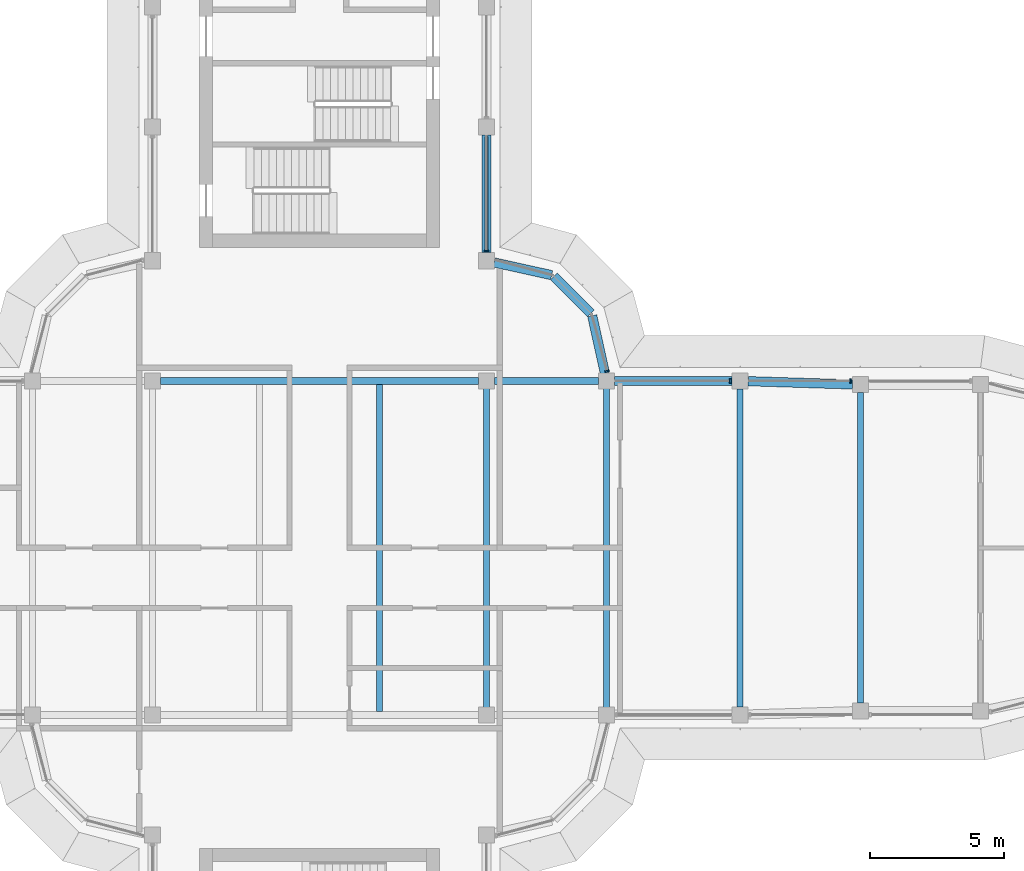
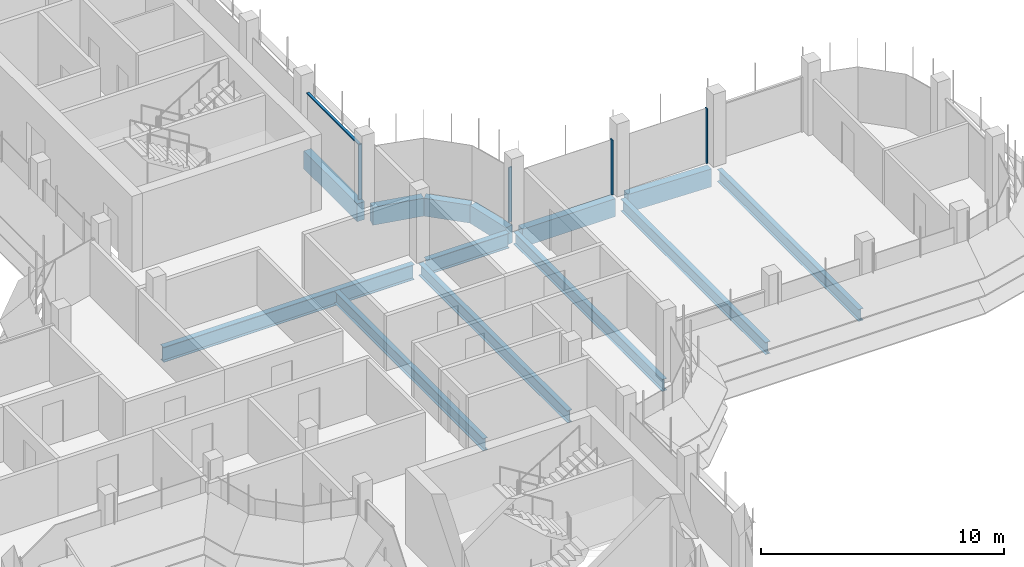
# One storey, part 8 of 19: 13 beams, 5 members, 3 elements without a shape of their own.
"""IFC4 building model written with IfcOpenShell, lengths in metres."""

from ifc_helpers import new_model, si_unit, direction, frame, origin, origin_2d, place, context, subcontext, project, spatial, polyline, rectangle, i_section, outline, extrude, source, transform, mapped, material, material_profile, profile_set, type_object, element, aggregate, save


model = new_model("IFC4")

# Units and contexts
model_context = context("Model", 3, precision=1e-05, world=origin(), true_north=direction((0.0, 1.0)))
body_context = subcontext(model_context, "Body", "Model", "MODEL_VIEW")
ifc_project = project(units=[si_unit("LENGTHUNIT", "METRE"), si_unit("AREAUNIT", "SQUARE_METRE"), si_unit("VOLUMEUNIT", "CUBIC_METRE"), si_unit("PLANEANGLEUNIT", "RADIAN"), si_unit("MASSUNIT", "GRAM", prefix="KILO")], contexts=[model_context])

# Site, building, storey
site_placement = place(None, origin())
site = spatial("IfcSite", under=ifc_project, at=site_placement, CompositionType="ELEMENT")
building_placement = place(site_placement, origin())
building = spatial("IfcBuilding", under=site, at=building_placement, Name="Zarbagh Exchange Tower", CompositionType="ELEMENT")
storey_placement = place(building_placement, frame((0.0, 0.0, 280.199951171875)))
storey = spatial("IfcBuildingStorey", under=building, at=storey_placement, Name="L69", CompositionType="ELEMENT", Elevation=280.199951171875)

# Beams
ifc_material_1 = material(Name="Steel ASTM A992 Gr 50", Category="steel")
ifc_material_profile_1 = material_profile(ifc_material_1, i_section(OverallWidth=0.228271484375, OverallDepth=0.607177734375, WebThickness=0.01123046875, FlangeThickness=0.017333984375, at=origin_2d()), Name="W24X76")
ifc_profile_set_1 = profile_set([ifc_material_profile_1], Name="Steel ASTM A992 Gr 50")
beam_type_1 = type_object("IfcBeamType", Name="Floor beam W24X76", PredefinedType="BEAM", material=ifc_profile_set_1)
for number, where, z_axis, x_axis, name in (
    (1, (2.25, -6.11669921875, -0.453369140625), (0.0, 1.0, 0.0), (-1.0, 0.0, 0.0), "Steel floor beam"),
    (2, (6.25, -6.11669921875, -0.453369140625), (0.0, 1.0, 0.0), (-1.0, 0.0, 0.0), "Steel floor beam"),
    (3, (10.75, -6.11669921875, -0.453369140625), (0.0, 1.0, 0.0), (-1.0, 0.0, 0.0), "Steel floor beam"),
):
    element("IfcBeam", number, at=place(storey_placement, frame(where, z_axis=z_axis, x_axis=x_axis)), inside=storey, type_object=beam_type_1, Name=name, PredefinedType="BEAM", context=body_context, shape_type="SweptSolid", body=[
        extrude(i_section(OverallWidth=0.228271484375, OverallDepth=0.607177734375, WebThickness=0.01123046875, FlangeThickness=0.017333984375, at=origin_2d()), origin(), (0.0, 0.0, 1.0), 12.2333984375),
    ])
beam_1_placement = place(storey_placement, frame((15.75, -5.949951171875, -0.453369140625), z_axis=(0.0, 1.0, 0.0), x_axis=(-1.0, 0.0, 0.0)))
element("IfcBeam", 4, at=beam_1_placement, inside=storey, type_object=beam_type_1, Name="Steel floor beam", PredefinedType="BEAM", context=body_context, shape_type="SweptSolid", body=[
    extrude(i_section(OverallWidth=0.228271484375, OverallDepth=0.607177734375, WebThickness=0.01123046875, FlangeThickness=0.017333984375, at=origin_2d()), origin(), (0.0, 0.0, 1.0), 11.89990234375),
])
beam_2_placement = place(storey_placement, frame((20.25, -5.81005859375, -0.453369140625), z_axis=(0.0, 1.0, 0.0), x_axis=(-1.0, 0.0, 0.0)))
element("IfcBeam", 5, at=beam_2_placement, inside=storey, type_object=beam_type_1, Name="Steel floor beam", PredefinedType="BEAM", context=body_context, shape_type="SweptSolid", body=[
    extrude(i_section(OverallWidth=0.228271484375, OverallDepth=0.607177734375, WebThickness=0.01123046875, FlangeThickness=0.017333984375, at=origin_2d()), origin(), (0.0, 0.0, 1.0), 11.6201171875),
])
ifc_material_profile_2 = material_profile(ifc_material_1, i_section(OverallWidth=0.2666015625, OverallDepth=0.7568359375, WebThickness=0.013916015625, FlangeThickness=0.019287109375, at=origin_2d()), Name="W30X108")
ifc_profile_set_2 = profile_set([ifc_material_profile_2], Name="Steel ASTM A992 Gr 50")
beam_type_2 = type_object("IfcBeamType", Name="Floor girder W30X108", PredefinedType="BEAM", material=ifc_profile_set_2)
beam_3_placement = place(storey_placement, frame((-5.949951171875, 6.25, -0.5283203125), z_axis=(1.0, 0.0, 0.0), x_axis=(0.0, 1.0, 0.0)))
element("IfcBeam", 6, at=beam_3_placement, inside=storey, type_object=beam_type_2, Name="Steel girder", PredefinedType="BEAM", context=body_context, shape_type="SweptSolid", body=[
    extrude(i_section(OverallWidth=0.2666015625, OverallDepth=0.7568359375, WebThickness=0.013916015625, FlangeThickness=0.019287109375, at=origin_2d()), origin(), (0.0, 0.0, 1.0), 11.89990234375),
])
beam_4_placement = place(storey_placement, frame((6.550048828125, 6.25, -0.5283203125), z_axis=(1.0, 0.0, 0.0), x_axis=(0.0, 1.0, 0.0)))
element("IfcBeam", 7, at=beam_4_placement, inside=storey, type_object=beam_type_2, Name="Steel girder", PredefinedType="BEAM", context=body_context, shape_type="SweptSolid", body=[
    extrude(i_section(OverallWidth=0.2666015625, OverallDepth=0.7568359375, WebThickness=0.013916015625, FlangeThickness=0.019287109375, at=origin_2d()), origin(), (0.0, 0.0, 1.0), 3.89990234375),
])
ifc_material_2 = material(Name="Concrete C40/50", Category="concrete")
ifc_material_profile_3 = material_profile(ifc_material_2, rectangle(XDim=0.35009765625, YDim=0.89990234375, at=origin_2d()), Name="RC spandrel beam 350 x 900 C40/50")
ifc_profile_set_3 = profile_set([ifc_material_profile_3], Name="Concrete C40/50")
beam_type_3 = type_object("IfcBeamType", Name="RC spandrel beam 350 x 900 C40/50", PredefinedType="SPANDREL", material=ifc_profile_set_3)
beam_5_placement = place(storey_placement, frame((6.25, 15.449951171875, -0.599853515625), z_axis=(0.0, -1.0, 0.0), x_axis=(1.0, 0.0, 0.0)))
element("IfcBeam", 8, at=beam_5_placement, inside=storey, type_object=beam_type_3, Name="RC spandrel beam", PredefinedType="SPANDREL", context=body_context, shape_type="SweptSolid", body=[
    extrude(rectangle(XDim=0.35009765625, YDim=0.89990234375, at=origin_2d()), origin(), (0.0, 0.0, 1.0), 4.39990234375),
])
beam_6_placement = place(storey_placement, frame((6.54296875, 10.685302734375, -0.599853515625), z_axis=(0.976387662047, -0.216025770228, 0.0), x_axis=(0.216025770228, 0.976387662047, 0.0)))
element("IfcBeam", 9, at=beam_6_placement, inside=storey, type_object=beam_type_3, Name="RC spandrel beam", PredefinedType="SPANDREL", context=body_context, shape_type="SweptSolid", body=[
    extrude(rectangle(XDim=0.35009765625, YDim=0.89990234375, at=origin_2d()), origin(), (0.0, 0.0, 1.0), 2.200439453125),
])
beam_7_placement = place(storey_placement, frame((8.77734375, 10.16259765625, -0.599853515625), z_axis=(0.707106781187, -0.707106781187, 0.0), x_axis=(0.707106781187, 0.707106781187, 0.0)))
element("IfcBeam", 10, at=beam_7_placement, inside=storey, type_object=beam_type_3, Name="RC spandrel beam", PredefinedType="SPANDREL", context=body_context, shape_type="SweptSolid", body=[
    extrude(rectangle(XDim=0.35009765625, YDim=0.89990234375, at=origin_2d()), origin(), (0.0, 0.0, 1.0), 1.958984375),
])
beam_8_placement = place(storey_placement, frame((10.2099609375, 8.69140625, -0.599853515625), z_axis=(0.216025770228, -0.976387662047, 0.0), x_axis=(0.976387662047, 0.216025770228, 0.0)))
element("IfcBeam", 11, at=beam_8_placement, inside=storey, type_object=beam_type_3, Name="RC spandrel beam", PredefinedType="SPANDREL", context=body_context, shape_type="SweptSolid", body=[
    extrude(rectangle(XDim=0.35009765625, YDim=0.89990234375, at=origin_2d()), origin(), (0.0, 0.0, 1.0), 2.200439453125),
])
beam_9_placement = place(storey_placement, frame((11.050048828125, 6.25, -0.599853515625), z_axis=(1.0, 0.0, 0.0), x_axis=(0.0, 1.0, 0.0)))
element("IfcBeam", 12, at=beam_9_placement, inside=storey, type_object=beam_type_3, Name="RC spandrel beam", PredefinedType="SPANDREL", context=body_context, shape_type="SweptSolid", body=[
    extrude(rectangle(XDim=0.35009765625, YDim=0.89990234375, at=origin_2d()), origin(), (0.0, 0.0, 1.0), 4.39990234375),
])
beam_10_placement = place(storey_placement, frame((16.0498046875, 6.24072265625, -0.599853515625), z_axis=(0.999516460907, -0.031094121249, 0.0), x_axis=(0.031094121249, 0.999516460907, 0.0)))
element("IfcBeam", 13, at=beam_10_placement, inside=storey, type_object=beam_type_3, Name="RC spandrel beam", PredefinedType="SPANDREL", context=body_context, shape_type="SweptSolid", body=[
    extrude(rectangle(XDim=0.35009765625, YDim=0.89990234375, at=origin_2d()), origin(), (0.0, 0.0, 1.0), 3.90234375),
])

# Curtain wall, members
ifc_material_3 = material(Name="Anodised aluminium frame and glazing", Category="aluminium")
curtain_wall_type = type_object("IfcCurtainWallType", Name="CWB Ribbon glazing, upper zones", PredefinedType="NOTDEFINED", material=ifc_material_3)
curtain_wall_1_placement = place(storey_placement, origin())
curtain_wall_1 = element("IfcCurtainWall", 14, at=curtain_wall_1_placement, inside=storey, type_object=curtain_wall_type, Name="CWB82 curtain wall", PredefinedType="NOTDEFINED")
ifc_material_4 = material(Name="Anodised aluminium frame", Category="aluminium")
member_type_1 = type_object("IfcMemberType", Name="MUB Mullion, anodised aluminium frame", PredefinedType="MULLION", material=ifc_material_4)
shared_shape_1 = source(origin(), body_context, "Body", "SweptSolid", [
    extrude(outline(polyline([(0.0, -0.080078125), (0.06005859375, -0.080078125), (0.06005859375, 0.080078125), (0.0, 0.080078125), (0.0, -0.080078125)])), origin(), (0.0, 0.0, 1.0), 2.75),
])
placement = place(storey_placement, origin())
member_1 = element("IfcMember", 15, at=placement, type_object=member_type_1, Name="CWB82 mullion 2.1", PredefinedType="MULLION", context=body_context, shape_type="MappedRepresentation", body=[
    mapped(shared_shape_1, transform((19.909912109375, 6.25, 0.0), x_axis=(-1.0, 0.0, 0.0), y_axis=(0.0, -1.0, 0.0), z_axis=(0.0, 0.0, 1.0))),
])
member_2 = element("IfcMember", 16, at=placement, type_object=member_type_1, Name="CWB82 mullion 3.1", PredefinedType="MULLION", context=body_context, shape_type="MappedRepresentation", body=[
    mapped(shared_shape_1, transform((15.409912109375, 6.25, 0.0), x_axis=(-1.0, 0.0, 0.0), y_axis=(0.0, -1.0, 0.0), z_axis=(0.0, 0.0, 1.0))),
])
aggregate(curtain_wall_1, [member_1, member_2])

# Curtain wall, member
curtain_wall_2_placement = place(storey_placement, origin())
curtain_wall_2 = element("IfcCurtainWall", 17, at=curtain_wall_2_placement, inside=storey, type_object=curtain_wall_type, Name="CWB17 curtain wall", PredefinedType="NOTDEFINED")
member_3 = element("IfcMember", 18, at=placement, type_object=member_type_1, Name="CWB17 mullion 1.1", PredefinedType="MULLION", context=body_context, shape_type="MappedRepresentation", body=[
    mapped(shared_shape_1, transform((10.775146484375, 6.590087890625, 0.0), x_axis=(-0.258824779902, 0.965924289636, 0.0), y_axis=(-0.965924289636, -0.258824779902, 0.0), z_axis=(0.0, 0.0, 1.0))),
])
aggregate(curtain_wall_2, [member_3])

# Curtain wall, members
curtain_wall_3_placement = place(storey_placement, origin())
curtain_wall_3 = element("IfcCurtainWall", 19, at=curtain_wall_3_placement, inside=storey, type_object=curtain_wall_type, Name="CWB67 curtain wall", PredefinedType="NOTDEFINED")
member_4 = element("IfcMember", 20, at=placement, type_object=member_type_1, Name="CWB67 mullion 1.1", PredefinedType="MULLION", context=body_context, shape_type="MappedRepresentation", body=[
    mapped(shared_shape_1, transform((6.25, 11.090087890625, 0.0), x_axis=(0.0, 1.0, 0.0), y_axis=(-1.0, 0.0, 0.0), z_axis=(0.0, 0.0, 1.0))),
])
member_type_2 = type_object("IfcMemberType", Name="TRB Transom, anodised aluminium frame", PredefinedType="USERDEFINED", material=ifc_material_4)
shared_shape_2 = source(origin(), body_context, "Body", "SweptSolid", [
    extrude(outline(polyline([(-0.06005859375, -0.06005859375), (0.0, -0.06005859375), (0.0, 0.06005859375), (-0.06005859375, 0.06005859375), (-0.06005859375, -0.06005859375)])), origin(), (0.0, 0.0, 1.0), 4.260009765625),
])
member_5 = element("IfcMember", 21, at=placement, type_object=member_type_2, Name="CWB67 transom 1.1", ObjectType="TRANSOM", PredefinedType="USERDEFINED", context=body_context, shape_type="MappedRepresentation", body=[
    mapped(shared_shape_2, transform((6.25, 11.150146484375, 2.75), x_axis=(0.0, 0.0, 1.0), y_axis=(1.0, 0.0, 0.0), z_axis=(0.0, 1.0, 0.0))),
])
aggregate(curtain_wall_3, [member_4, member_5])

save(model, "model.ifc")
